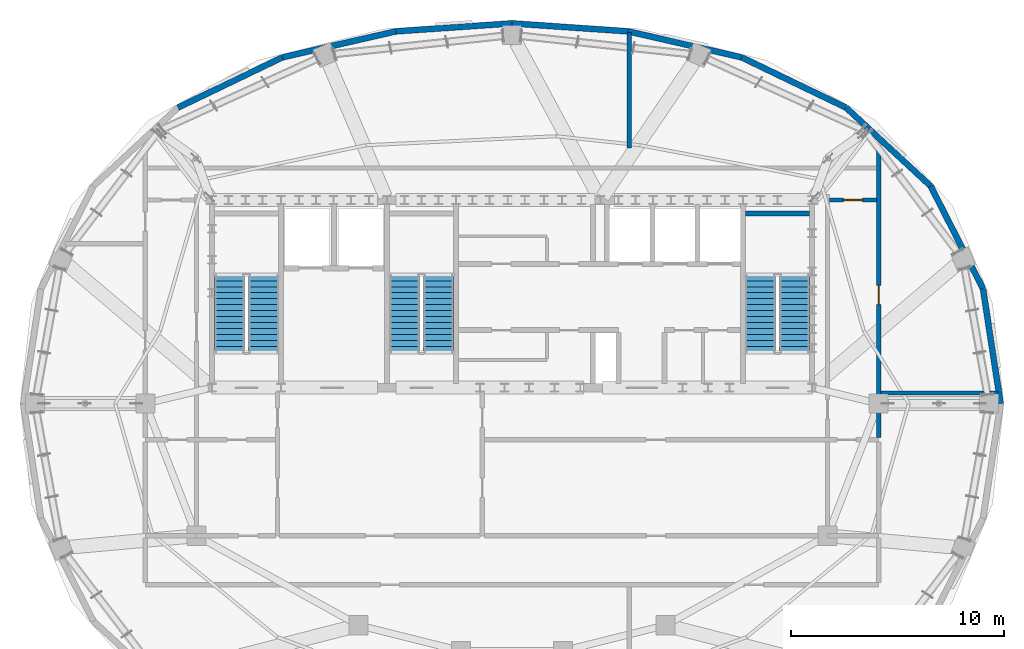
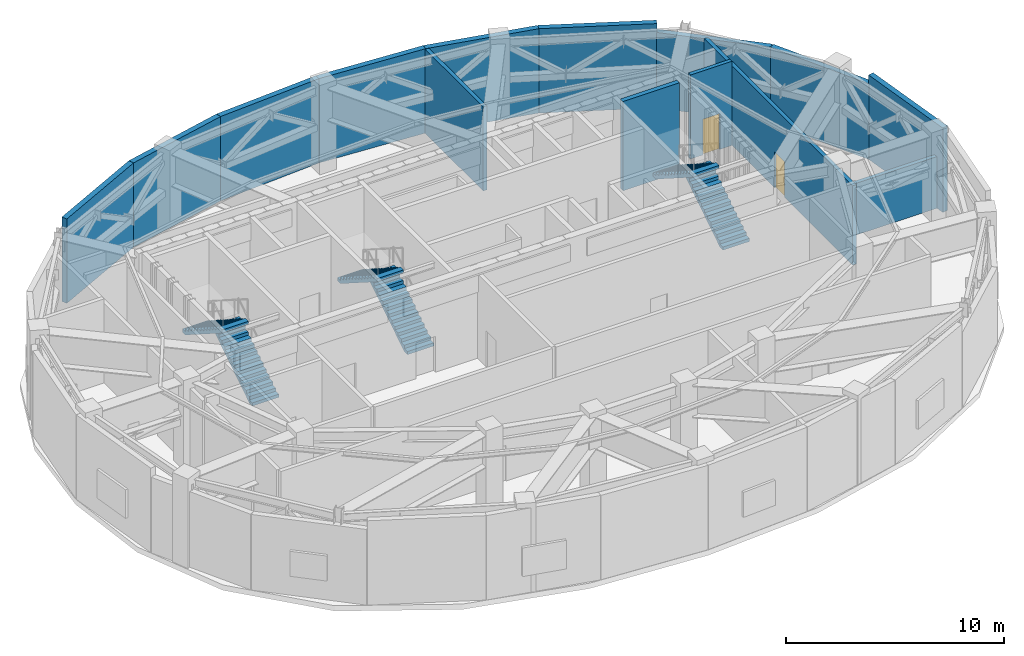
# One storey, part 12 of 15: 14 walls, 6 stair flights, 2 doors, 2 openings, 3 elements without a shape of their own.
"""IFC4 building model written with IfcOpenShell, lengths in metres."""

from ifc_helpers import new_model, si_unit, direction, frame, frame_2d, origin, place, context, subcontext, project, spatial, polyline, rectangle, outline, extrude, material, layer, layer_set, type_object, element, fill, aggregate, save


model = new_model("IFC4")

# Units and contexts
model_context = context("Model", 3, precision=1e-05, world=origin(), true_north=direction((0.0, 1.0)))
body_context = subcontext(model_context, "Body", "Model", "MODEL_VIEW")
ifc_project = project(units=[si_unit("LENGTHUNIT", "METRE"), si_unit("AREAUNIT", "SQUARE_METRE"), si_unit("VOLUMEUNIT", "CUBIC_METRE"), si_unit("PLANEANGLEUNIT", "RADIAN"), si_unit("MASSUNIT", "GRAM", prefix="KILO")], contexts=[model_context])

# Site, building, storey
site_placement = place(None, origin())
site = spatial("IfcSite", under=ifc_project, at=site_placement, CompositionType="ELEMENT")
building_placement = place(site_placement, origin())
building = spatial("IfcBuilding", under=site, at=building_placement, Name="Haldorwick Loom Tower", CompositionType="ELEMENT")
storey_placement = place(building_placement, frame((0.0, 0.0, 286.5)))
storey = spatial("IfcBuildingStorey", under=building, at=storey_placement, Name="L77", CompositionType="ELEMENT", Elevation=286.5)

# Walls
ifc_material_1 = material(Name="Pressed Clay Face Brick and Insulated Masonry Backup Assembly", Category="masonry")
ifc_layer_1 = layer(ifc_material_1, 0.280029296875, Name="Pressed Clay Face Brick and Insulated Masonry Backup Assembly", Category="masonry")
ifc_layer_set_1 = layer_set([ifc_layer_1], Name="Pressed Clay Face Brick and Insulated Masonry Backup Assembly")
wall_type_1 = type_object("IfcWallType", Name="ARC-WL-EXT280", PredefinedType="STANDARD", material=ifc_layer_set_1)
wall_1_placement = place(storey_placement, frame((58.9208984375, 26.0, 0.0), z_axis=(0.0, 0.0, 1.0), x_axis=(-0.151110573005, 0.988516866182, 0.0)))
element("IfcWall", 1, at=wall_1_placement, inside=storey, type_object=wall_type_1, Name="L77 Brick Pier and Spandrel Wall 1", PredefinedType="STANDARD", context=body_context, shape_type="SweptSolid", body=[
    extrude(rectangle(XDim=5.4462890625, YDim=0.280029296875, at=frame_2d((2.72314453125, 0.0))), origin(), (0.0, 0.0, 1.0), 4.719970703125),
])
for number, where, z_axis, x_axis, name in (
    (2, (58.097900390625, 31.3837890625, 0.0), (0.0, 0.0, 1.0), (-0.454417014044, 0.890789075678, 0.0), "L77 Brick Pier and Spandrel Wall 2"),
    (3, (55.638671875, 36.20458984375, 0.0), (0.0, 0.0, 1.0), (-0.733156506145, 0.680059951399, 0.0), "L77 Brick Pier and Spandrel Wall 3"),
):
    element("IfcWall", number, at=place(storey_placement, frame(where, z_axis=z_axis, x_axis=x_axis)), inside=storey, type_object=wall_type_1, Name=name, PredefinedType="STANDARD", context=body_context, shape_type="SweptSolid", body=[
        extrude(rectangle(XDim=5.411865234375, YDim=0.280029296875, at=frame_2d((2.7060546875, 0.0))), origin(), (0.0, 0.0, 1.0), 4.22900390625),
    ])
wall_2_placement = place(storey_placement, frame((51.6708984375, 39.885009765625, 0.0), z_axis=(0.0, 0.0, 1.0), x_axis=(-0.901083511605, 0.433645598518, 0.0)))
element("IfcWall", 4, at=wall_2_placement, inside=storey, type_object=wall_type_1, Name="L77 Brick Pier and Spandrel Wall 4", PredefinedType="STANDARD", context=body_context, shape_type="SweptSolid", body=[
    extrude(rectangle(XDim=5.440185546875, YDim=0.280029296875, at=frame_2d((2.72021484375, 0.0))), origin(), (0.0, 0.0, 1.0), 4.719970703125),
])
wall_3_placement = place(storey_placement, frame((46.768798828125, 42.244140625, 0.0), z_axis=(0.0, 0.0, 1.0), x_axis=(-0.974769032237, 0.223215890545, 0.0)))
element("IfcWall", 5, at=wall_3_placement, inside=storey, type_object=wall_type_1, Name="L77 Brick Pier and Spandrel Wall 5", PredefinedType="STANDARD", context=body_context, shape_type="SweptSolid", body=[
    extrude(rectangle(XDim=5.457763671875, YDim=0.280029296875, at=frame_2d((2.72900390625, 0.0))), origin(), (0.0, 0.0, 1.0), 4.719970703125),
])
for number, where, z_axis, x_axis, name in (
    (6, (41.44873046875, 43.46240234375, 0.0), (0.0, 0.0, 1.0), (-0.997667530395, 0.068260521503, 0.0), "L77 Brick Pier and Spandrel Wall 6"),
    (7, (36.0, 43.835205078125, 0.0), (0.0, 0.0, 1.0), (-0.997667530395, -0.068260521503, 0.0), "L77 Brick Pier and Spandrel Wall 7"),
):
    element("IfcWall", number, at=place(storey_placement, frame(where, z_axis=z_axis, x_axis=x_axis)), inside=storey, type_object=wall_type_1, Name=name, PredefinedType="STANDARD", context=body_context, shape_type="SweptSolid", body=[
        extrude(rectangle(XDim=5.46142578125, YDim=0.280029296875, at=frame_2d((2.730712890625, 0.0))), origin(), (0.0, 0.0, 1.0), 4.719970703125),
    ])
wall_4_placement = place(storey_placement, frame((30.55126953125, 43.46240234375, 0.0), z_axis=(0.0, 0.0, 1.0), x_axis=(-0.974769032237, -0.223215890545, 0.0)))
element("IfcWall", 8, at=wall_4_placement, inside=storey, type_object=wall_type_1, Name="L77 Brick Pier and Spandrel Wall 8", PredefinedType="STANDARD", context=body_context, shape_type="SweptSolid", body=[
    extrude(rectangle(XDim=5.457763671875, YDim=0.280029296875, at=frame_2d((2.72900390625, 0.0))), origin(), (0.0, 0.0, 1.0), 4.719970703125),
])
wall_5_placement = place(storey_placement, frame((25.231201171875, 42.244140625, 0.0), z_axis=(0.0, 0.0, 1.0), x_axis=(-0.901083511605, -0.433645598518, 0.0)))
element("IfcWall", 9, at=wall_5_placement, inside=storey, type_object=wall_type_1, Name="L77 Brick Pier and Spandrel Wall 9", PredefinedType="STANDARD", context=body_context, shape_type="SweptSolid", body=[
    extrude(rectangle(XDim=5.440185546875, YDim=0.280029296875, at=frame_2d((2.72021484375, 0.0))), origin(), (0.0, 0.0, 1.0), 4.719970703125),
])

# Wall, opening, door
ifc_material_2 = material(Name="Fire-Rated Type X Gypsum Stud Assembly EI 120")
ifc_layer_2 = layer(ifc_material_2, 0.199951171875, Name="Fire-Rated Type X Gypsum Stud Assembly EI 120")
ifc_layer_set_2 = layer_set([ifc_layer_2], Name="Fire-Rated Type X Gypsum Stud Assembly EI 120")
wall_type_2 = type_object("IfcWallType", Name="ARC-WL-FIRE200", PredefinedType="PARTITIONING", material=ifc_layer_set_2)
wall_6_placement = place(storey_placement, frame((53.199951171875, 24.403076171875, 0.0), z_axis=(0.0, 0.0, 1.0), x_axis=(0.0, 1.0, 0.0)))
wall_6 = element("IfcWall", 10, at=wall_6_placement, inside=storey, type_object=wall_type_2, Name="L77 Interior Partition L77-PC-E1", PredefinedType="PARTITIONING", context=body_context, shape_type="SweptSolid", body=[
    extrude(rectangle(XDim=13.596923828125, YDim=0.199951171875, at=frame_2d((6.79833984375, 0.0))), origin(), (0.0, 0.0, 1.0), 4.43701171875),
])
opening_1_placement = place(wall_6_placement, frame((6.237060546875, 0.0, 0.0)))
opening_1 = element("IfcOpeningElement", 11, at=opening_1_placement, cuts=wall_6, Name="Opening D-FD60A", PredefinedType="OPENING", context=body_context, shape_type="SweptSolid", body=[
    extrude(rectangle(XDim=0.89990234375, YDim=2.0, at=frame_2d((0.449951171875, 1.0))), frame((0.0, 0.10986328125, 0.0), z_axis=(0.0, -1.0, 0.0), x_axis=(1.0, 0.0, 0.0)), (0.0, 0.0, 1.0), 0.219970703125),
])
ifc_material_3 = material(Name="Hollow Steel Fire Door Assembly", Category="steel")
door_type = type_object("IfcDoorType", Name="ARC-DR-FD60-90", OperationType="NOTDEFINED", PredefinedType="DOOR", material=ifc_material_3)
door_1_placement = place(opening_1_placement, frame((0.89990234375, 0.0, 0.0), z_axis=(0.0, 0.0, 1.0), x_axis=(-1.0, 0.0, 0.0)))
door_1 = element("IfcDoor", 12, at=door_1_placement, inside=storey, type_object=door_type, Name="L77 East Mechanical Corridor to Building Automation and Telecom Plant Do", OperationType="SINGLE_SWING_LEFT", OverallHeight=2.0, OverallWidth=0.89990234375, PredefinedType="DOOR", context=body_context, shape_type="SweptSolid", body=[
    extrude(rectangle(XDim=0.89990234375, YDim=2.0, at=frame_2d((0.449951171875, 1.0))), frame((0.0, 0.02490234375, 0.0), z_axis=(0.0, -1.0, 0.0), x_axis=(1.0, 0.0, 0.0)), (0.0, 0.0, 1.0), 0.050048828125),
])
fill(opening_1, door_1)

wall_7_placement = place(storey_placement, frame((50.903076171875, 35.550048828125, 0.0), z_axis=(0.0, 0.0, 1.0), x_axis=(1.0, 0.0, 0.0)))
wall_7 = element("IfcWall", 13, at=wall_7_placement, inside=storey, type_object=wall_type_2, Name="L77 Interior Partition L77-PC-EN", PredefinedType="PARTITIONING", context=body_context, shape_type="SweptSolid", body=[
    extrude(rectangle(XDim=2.19384765625, YDim=0.199951171875, at=frame_2d((1.096923828125, 0.0))), origin(), (0.0, 0.0, 1.0), 4.705078125),
])
opening_2_placement = place(wall_7_placement, frame((0.64697265625, 0.0, 0.0)))
opening_2 = element("IfcOpeningElement", 14, at=opening_2_placement, cuts=wall_7, Name="Opening D-FD60A", PredefinedType="OPENING", context=body_context, shape_type="SweptSolid", body=[
    extrude(rectangle(XDim=0.89990234375, YDim=2.0, at=frame_2d((0.449951171875, 1.0))), frame((0.0, 0.10986328125, 0.0), z_axis=(0.0, -1.0, 0.0), x_axis=(1.0, 0.0, 0.0)), (0.0, 0.0, 1.0), 0.219970703125),
])
door_2_placement = place(opening_2_placement, origin())
door_2 = element("IfcDoor", 15, at=door_2_placement, inside=storey, type_object=door_type, Name="L77 North Mechanical Corridor to East Mechanical Corridor Door", OperationType="SINGLE_SWING_LEFT", OverallHeight=2.0, OverallWidth=0.89990234375, PredefinedType="DOOR", context=body_context, shape_type="SweptSolid", body=[
    extrude(rectangle(XDim=0.89990234375, YDim=2.0, at=frame_2d((0.449951171875, 1.0))), frame((0.0, 0.02490234375, 0.0), z_axis=(0.0, -1.0, 0.0), x_axis=(1.0, 0.0, 0.0)), (0.0, 0.0, 1.0), 0.050048828125),
])
fill(opening_2, door_2)

# Walls
wall_8_placement = place(storey_placement, frame((41.5, 38.0, 0.0), z_axis=(0.0, 0.0, 1.0), x_axis=(0.0, 1.0, 0.0)))
element("IfcWall", 16, at=wall_8_placement, inside=storey, type_object=wall_type_2, Name="L77 Interior Partition L77-PL-N", PredefinedType="PARTITIONING", context=body_context, shape_type="SweptSolid", body=[
    extrude(rectangle(XDim=5.404541015625, YDim=0.199951171875, at=frame_2d((2.7021484375, 0.0))), origin(), (0.0, 0.0, 1.0), 4.705078125),
])
wall_9_placement = place(storey_placement, frame((53.302978515625, 26.5, 0.0), z_axis=(0.0, 0.0, 1.0), x_axis=(1.0, 0.0, 0.0)))
element("IfcWall", 17, at=wall_9_placement, inside=storey, type_object=wall_type_2, Name="L77 Interior Partition L77-PL-E", PredefinedType="PARTITIONING", context=body_context, shape_type="SweptSolid", body=[
    extrude(rectangle(XDim=5.495849609375, YDim=0.199951171875, at=frame_2d((2.748046875, 0.0))), origin(), (0.0, 0.0, 1.0), 2.89501953125),
])
ifc_material_4 = material(Name="Concrete C50 (50 MPa)", Category="concrete")
ifc_layer_3 = layer(ifc_material_4, 0.239990234375, Name="Concrete C50 (50 MPa)", Category="concrete")
ifc_layer_set_3 = layer_set([ifc_layer_3], Name="Concrete C50 (50 MPa)")
wall_type_3 = type_object("IfcWallType", Name="STR-WL-SHAFT240", PredefinedType="SHEAR", material=ifc_layer_set_3)
wall_10_placement = place(storey_placement, frame((46.952880859375, 34.919921875, 0.0), z_axis=(0.0, 0.0, 1.0), x_axis=(1.0, 0.0, 0.0)))
element("IfcWall", 18, at=wall_10_placement, inside=storey, type_object=wall_type_3, Name="L77 Core Shear Wall 4N", PredefinedType="SHEAR", context=body_context, shape_type="SweptSolid", body=[
    extrude(rectangle(XDim=2.994140625, YDim=0.239990234375, at=frame_2d((1.4970703125, 0.0))), origin(), (0.0, 0.0, 1.0), 5.0),
])

# Stair, stair flights
ifc_material_5 = material(Name="Concrete C40 (40 MPa)", Category="concrete")
stair_type = type_object("IfcStairType", Name="STR-STR-CORE", PredefinedType="HALF_TURN_STAIR", material=ifc_material_5)
stair_1_placement = place(storey_placement, origin())
stair_1 = element("IfcStair", 19, at=stair_1_placement, inside=storey, type_object=stair_type, Name="L77 Exit Stair ST-01", PredefinedType="HALF_TURN_STAIR")
stair_flight_type = type_object("IfcStairFlightType", Name="STR-STF-1250", PredefinedType="STRAIGHT", material=ifc_material_5)
stair_flight_1_placement = place(storey_placement, frame((24.35009765625, 28.39990234375, 0.0), z_axis=(0.0, 0.0, 1.0), x_axis=(0.0, 1.0, 0.0)))
stair_flight_1 = element("IfcStairFlight", 20, at=stair_flight_1_placement, type_object=stair_flight_type, Name="ST-01 flight 1", NumberOfRisers=14, NumberOfTreads=13, PredefinedType="STRAIGHT", RiserHeight=0.178571429, TreadLength=0.28, context=body_context, shape_type="SweptSolid", body=[
    extrude(outline(polyline([(0.0, 0.0), (0.0, 0.178466796875), (0.280029296875, 0.178466796875), (0.280029296875, 0.357177734375), (0.56005859375, 0.357177734375), (0.56005859375, 0.53564453125), (0.840087890625, 0.53564453125), (0.840087890625, 0.71435546875), (1.1201171875, 0.71435546875), (1.1201171875, 0.892822265625), (1.39990234375, 0.892822265625), (1.39990234375, 1.071533203125), (1.679931640625, 1.071533203125), (1.679931640625, 1.25), (1.9599609375, 1.25), (1.9599609375, 1.428466796875), (2.239990234375, 1.428466796875), (2.239990234375, 1.607177734375), (2.52001953125, 1.607177734375), (2.52001953125, 1.78564453125), (2.800048828125, 1.78564453125), (2.800048828125, 1.96435546875), (3.080078125, 1.96435546875), (3.080078125, 2.142822265625), (3.360107421875, 2.142822265625), (3.360107421875, 2.321533203125), (3.639892578125, 2.321533203125), (3.639892578125, 2.5), (3.639892578125, 2.1435546875), (0.27880859375, 0.0), (0.0, 0.0)])), frame((0.0, 0.699951171875, 0.0), z_axis=(0.0, -1.0, 0.0), x_axis=(1.0, 0.0, 0.0)), (0.0, 0.0, 1.0), 1.39990234375),
])
stair_flight_2_placement = place(storey_placement, frame((22.75, 32.0400390625, 2.5), z_axis=(0.0, 0.0, 1.0), x_axis=(0.0, -1.0, 0.0)))
stair_flight_2 = element("IfcStairFlight", 21, at=stair_flight_2_placement, type_object=stair_flight_type, Name="ST-01 flight 2", NumberOfRisers=14, NumberOfTreads=13, PredefinedType="STRAIGHT", RiserHeight=0.178571429, TreadLength=0.28, context=body_context, shape_type="SweptSolid", body=[
    extrude(outline(polyline([(0.0, 0.0), (0.0, 0.178466796875), (0.280029296875, 0.178466796875), (0.280029296875, 0.357177734375), (0.56005859375, 0.357177734375), (0.56005859375, 0.53564453125), (0.840087890625, 0.53564453125), (0.840087890625, 0.71435546875), (1.1201171875, 0.71435546875), (1.1201171875, 0.892822265625), (1.39990234375, 0.892822265625), (1.39990234375, 1.071533203125), (1.679931640625, 1.071533203125), (1.679931640625, 1.25), (1.9599609375, 1.25), (1.9599609375, 1.428466796875), (2.239990234375, 1.428466796875), (2.239990234375, 1.607177734375), (2.52001953125, 1.607177734375), (2.52001953125, 1.78564453125), (2.800048828125, 1.78564453125), (2.800048828125, 1.96435546875), (3.080078125, 1.96435546875), (3.080078125, 2.142822265625), (3.360107421875, 2.142822265625), (3.360107421875, 2.321533203125), (3.639892578125, 2.321533203125), (3.639892578125, 2.5), (3.639892578125, 2.1435546875), (0.27880859375, 0.0), (0.0, 0.0)])), frame((0.0, 0.699951171875, 0.0), z_axis=(0.0, -1.0, 0.0), x_axis=(1.0, 0.0, 0.0)), (0.0, 0.0, 1.0), 1.39990234375),
])
aggregate(stair_1, [stair_flight_1, stair_flight_2])

stair_2_placement = place(storey_placement, origin())
stair_2 = element("IfcStair", 22, at=stair_2_placement, inside=storey, type_object=stair_type, Name="L77 Exit Stair ST-02", PredefinedType="HALF_TURN_STAIR")
stair_flight_3_placement = place(storey_placement, frame((49.25, 28.39990234375, 0.0), z_axis=(0.0, 0.0, 1.0), x_axis=(0.0, 1.0, 0.0)))
stair_flight_3 = element("IfcStairFlight", 23, at=stair_flight_3_placement, type_object=stair_flight_type, Name="ST-02 flight 1", NumberOfRisers=14, NumberOfTreads=13, PredefinedType="STRAIGHT", RiserHeight=0.178571429, TreadLength=0.28, context=body_context, shape_type="SweptSolid", body=[
    extrude(outline(polyline([(0.0, 0.0), (0.0, 0.178466796875), (0.280029296875, 0.178466796875), (0.280029296875, 0.357177734375), (0.56005859375, 0.357177734375), (0.56005859375, 0.53564453125), (0.840087890625, 0.53564453125), (0.840087890625, 0.71435546875), (1.1201171875, 0.71435546875), (1.1201171875, 0.892822265625), (1.39990234375, 0.892822265625), (1.39990234375, 1.071533203125), (1.679931640625, 1.071533203125), (1.679931640625, 1.25), (1.9599609375, 1.25), (1.9599609375, 1.428466796875), (2.239990234375, 1.428466796875), (2.239990234375, 1.607177734375), (2.52001953125, 1.607177734375), (2.52001953125, 1.78564453125), (2.800048828125, 1.78564453125), (2.800048828125, 1.96435546875), (3.080078125, 1.96435546875), (3.080078125, 2.142822265625), (3.360107421875, 2.142822265625), (3.360107421875, 2.321533203125), (3.639892578125, 2.321533203125), (3.639892578125, 2.5), (3.639892578125, 2.1435546875), (0.27880859375, 0.0), (0.0, 0.0)])), frame((0.0, 0.699951171875, 0.0), z_axis=(0.0, -1.0, 0.0), x_axis=(1.0, 0.0, 0.0)), (0.0, 0.0, 1.0), 1.39990234375),
])
stair_flight_4_placement = place(storey_placement, frame((47.64990234375, 32.0400390625, 2.5), z_axis=(0.0, 0.0, 1.0), x_axis=(0.0, -1.0, 0.0)))
stair_flight_4 = element("IfcStairFlight", 24, at=stair_flight_4_placement, type_object=stair_flight_type, Name="ST-02 flight 2", NumberOfRisers=14, NumberOfTreads=13, PredefinedType="STRAIGHT", RiserHeight=0.178571429, TreadLength=0.28, context=body_context, shape_type="SweptSolid", body=[
    extrude(outline(polyline([(0.0, 0.0), (0.0, 0.178466796875), (0.280029296875, 0.178466796875), (0.280029296875, 0.357177734375), (0.56005859375, 0.357177734375), (0.56005859375, 0.53564453125), (0.840087890625, 0.53564453125), (0.840087890625, 0.71435546875), (1.1201171875, 0.71435546875), (1.1201171875, 0.892822265625), (1.39990234375, 0.892822265625), (1.39990234375, 1.071533203125), (1.679931640625, 1.071533203125), (1.679931640625, 1.25), (1.9599609375, 1.25), (1.9599609375, 1.428466796875), (2.239990234375, 1.428466796875), (2.239990234375, 1.607177734375), (2.52001953125, 1.607177734375), (2.52001953125, 1.78564453125), (2.800048828125, 1.78564453125), (2.800048828125, 1.96435546875), (3.080078125, 1.96435546875), (3.080078125, 2.142822265625), (3.360107421875, 2.142822265625), (3.360107421875, 2.321533203125), (3.639892578125, 2.321533203125), (3.639892578125, 2.5), (3.639892578125, 2.1435546875), (0.27880859375, 0.0), (0.0, 0.0)])), frame((0.0, 0.699951171875, 0.0), z_axis=(0.0, -1.0, 0.0), x_axis=(1.0, 0.0, 0.0)), (0.0, 0.0, 1.0), 1.39990234375),
])
aggregate(stair_2, [stair_flight_3, stair_flight_4])

stair_3_placement = place(storey_placement, origin())
stair_3 = element("IfcStair", 25, at=stair_3_placement, inside=storey, type_object=stair_type, Name="L77 Exit Stair ST-03", PredefinedType="HALF_TURN_STAIR")
stair_flight_5_placement = place(storey_placement, frame((32.550048828125, 28.39990234375, 0.0), z_axis=(0.0, 0.0, 1.0), x_axis=(0.0, 1.0, 0.0)))
stair_flight_5 = element("IfcStairFlight", 26, at=stair_flight_5_placement, type_object=stair_flight_type, Name="ST-03 flight 1", NumberOfRisers=14, NumberOfTreads=13, PredefinedType="STRAIGHT", RiserHeight=0.178571429, TreadLength=0.28, context=body_context, shape_type="SweptSolid", body=[
    extrude(outline(polyline([(0.0, 0.0), (0.0, 0.178466796875), (0.280029296875, 0.178466796875), (0.280029296875, 0.357177734375), (0.56005859375, 0.357177734375), (0.56005859375, 0.53564453125), (0.840087890625, 0.53564453125), (0.840087890625, 0.71435546875), (1.1201171875, 0.71435546875), (1.1201171875, 0.892822265625), (1.39990234375, 0.892822265625), (1.39990234375, 1.071533203125), (1.679931640625, 1.071533203125), (1.679931640625, 1.25), (1.9599609375, 1.25), (1.9599609375, 1.428466796875), (2.239990234375, 1.428466796875), (2.239990234375, 1.607177734375), (2.52001953125, 1.607177734375), (2.52001953125, 1.78564453125), (2.800048828125, 1.78564453125), (2.800048828125, 1.96435546875), (3.080078125, 1.96435546875), (3.080078125, 2.142822265625), (3.360107421875, 2.142822265625), (3.360107421875, 2.321533203125), (3.639892578125, 2.321533203125), (3.639892578125, 2.5), (3.639892578125, 2.1435546875), (0.27880859375, 0.0), (0.0, 0.0)])), frame((0.0, 0.699951171875, 0.0), z_axis=(0.0, -1.0, 0.0), x_axis=(1.0, 0.0, 0.0)), (0.0, 0.0, 1.0), 1.39990234375),
])
stair_flight_6_placement = place(storey_placement, frame((30.949951171875, 32.0400390625, 2.5), z_axis=(0.0, 0.0, 1.0), x_axis=(0.0, -1.0, 0.0)))
stair_flight_6 = element("IfcStairFlight", 27, at=stair_flight_6_placement, type_object=stair_flight_type, Name="ST-03 flight 2", NumberOfRisers=14, NumberOfTreads=13, PredefinedType="STRAIGHT", RiserHeight=0.178571429, TreadLength=0.28, context=body_context, shape_type="SweptSolid", body=[
    extrude(outline(polyline([(0.0, 0.0), (0.0, 0.178466796875), (0.280029296875, 0.178466796875), (0.280029296875, 0.357177734375), (0.56005859375, 0.357177734375), (0.56005859375, 0.53564453125), (0.840087890625, 0.53564453125), (0.840087890625, 0.71435546875), (1.1201171875, 0.71435546875), (1.1201171875, 0.892822265625), (1.39990234375, 0.892822265625), (1.39990234375, 1.071533203125), (1.679931640625, 1.071533203125), (1.679931640625, 1.25), (1.9599609375, 1.25), (1.9599609375, 1.428466796875), (2.239990234375, 1.428466796875), (2.239990234375, 1.607177734375), (2.52001953125, 1.607177734375), (2.52001953125, 1.78564453125), (2.800048828125, 1.78564453125), (2.800048828125, 1.96435546875), (3.080078125, 1.96435546875), (3.080078125, 2.142822265625), (3.360107421875, 2.142822265625), (3.360107421875, 2.321533203125), (3.639892578125, 2.321533203125), (3.639892578125, 2.5), (3.639892578125, 2.1435546875), (0.27880859375, 0.0), (0.0, 0.0)])), frame((0.0, 0.699951171875, 0.0), z_axis=(0.0, -1.0, 0.0), x_axis=(1.0, 0.0, 0.0)), (0.0, 0.0, 1.0), 1.39990234375),
])
aggregate(stair_3, [stair_flight_5, stair_flight_6])

save(model, "model.ifc")
